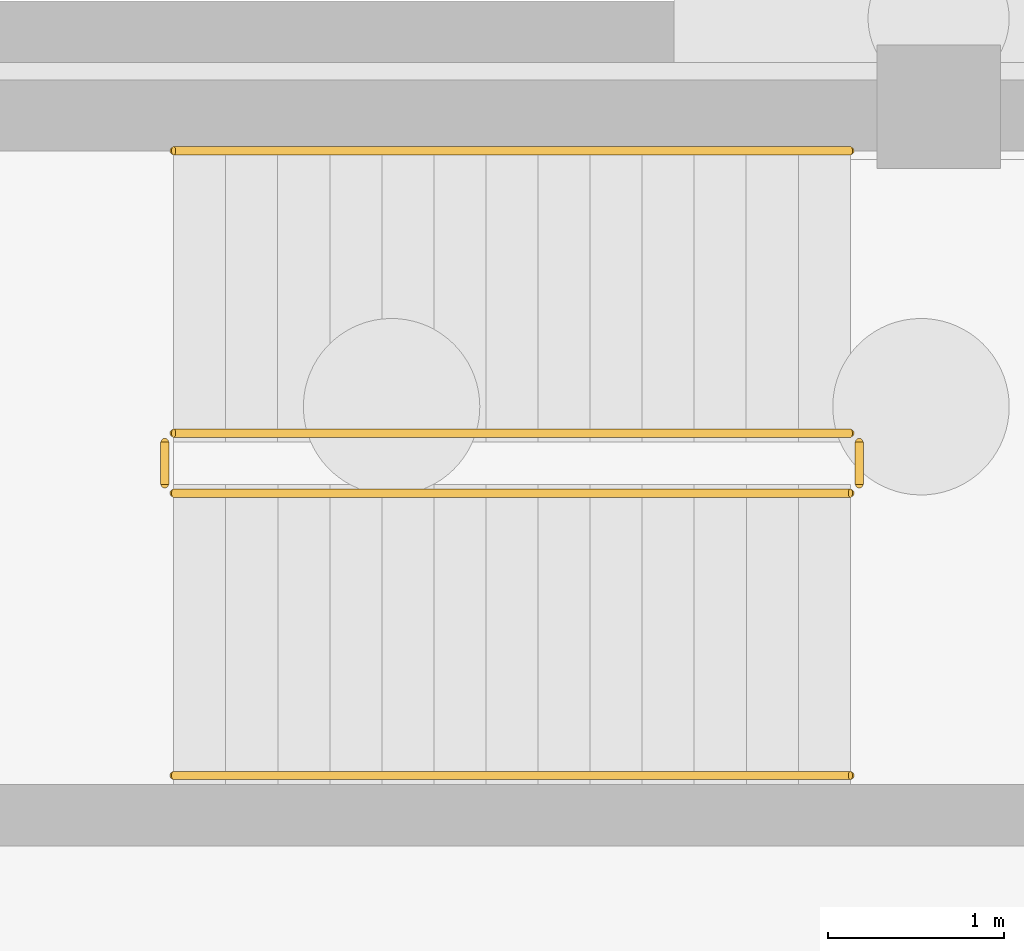
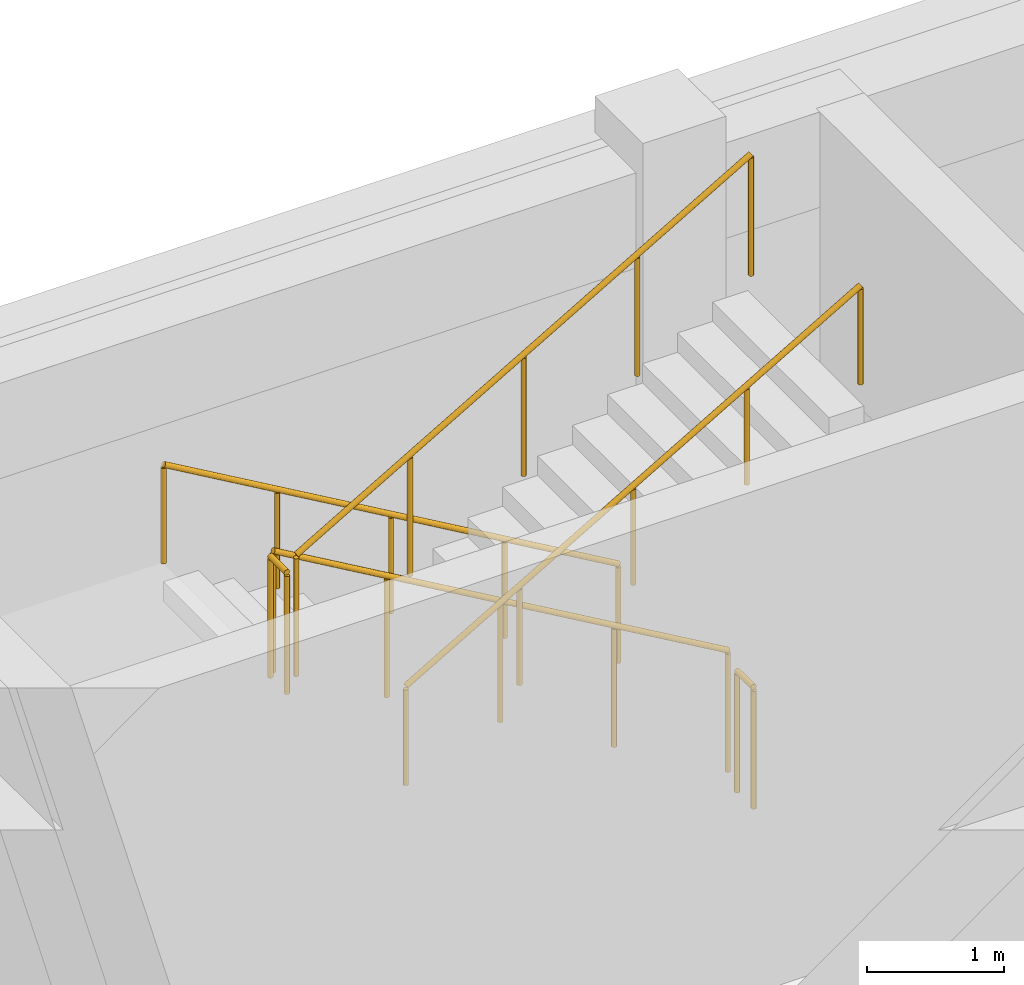
# One storey, part 34 of 35: 6 railings.
"""IFC4 building model written with IfcOpenShell, lengths in metres."""

from ifc_helpers import new_model, si_unit, direction, frame, origin, origin_2d, place, context, subcontext, project, spatial, circle, extrude, material, type_object, element, save


model = new_model("IFC4")

# Units and contexts
model_context = context("Model", 3, precision=1e-05, world=origin(), true_north=direction((0.0, 1.0)))
body_context = subcontext(model_context, "Body", "Model", "MODEL_VIEW")
ifc_project = project(units=[si_unit("LENGTHUNIT", "METRE"), si_unit("AREAUNIT", "SQUARE_METRE"), si_unit("VOLUMEUNIT", "CUBIC_METRE"), si_unit("PLANEANGLEUNIT", "RADIAN"), si_unit("MASSUNIT", "GRAM", prefix="KILO")], contexts=[model_context])

# Site, building, storey
site_placement = place(None, origin())
site = spatial("IfcSite", under=ifc_project, at=site_placement, CompositionType="ELEMENT")
building_placement = place(site_placement, origin())
building = spatial("IfcBuilding", under=site, at=building_placement, Name="Zayran Congress Hotel", CompositionType="ELEMENT")
storey_placement = place(building_placement, frame((0.0, 0.0, -4.800048828125)))
storey = spatial("IfcBuildingStorey", under=building, at=storey_placement, Name="B1", CompositionType="ELEMENT", Elevation=-4.800048828125)

# Railings
ifc_material_1 = material(Name="Painted steel balustrade", Category="steel")
railing_type_1 = type_object("IfcRailingType", Name="TP-GRD-INT", PredefinedType="GUARDRAIL", material=ifc_material_1)
railing_1_placement = place(storey_placement, frame((150.699951171875, 115.550048828125, 0.17138671875)))
element("IfcRailing", 1, at=railing_1_placement, inside=storey, type_object=railing_type_1, Name="B1 ST-09 stair guard 1", PredefinedType="GUARDRAIL", context=body_context, shape_type="SweptSolid", body=[
    extrude(circle(Radius=0.02392578125, at=origin_2d()), frame((0.0, 0.0, 1.076171875), z_axis=(-0.864592272851, 0.0, 0.502474080651), x_axis=(0.0, -1.0, 0.0)), (0.0, 0.0, 1.0), 4.435546875),
    extrude(circle(Radius=0.02099609375, at=origin_2d()), origin(), (0.0, 0.0, 1.0), 1.052001953125),
    extrude(circle(Radius=0.02099609375, at=origin_2d()), frame((-0.958740234375, 0.0, 0.55712890625)), (0.0, 0.0, 1.0), 1.052001953125),
    extrude(circle(Radius=0.02099609375, at=origin_2d()), frame((-1.91748046875, 0.0, 1.1142578125)), (0.0, 0.0, 1.0), 1.052001953125),
    extrude(circle(Radius=0.02099609375, at=origin_2d()), frame((-2.876220703125, 0.0, 1.671630859375)), (0.0, 0.0, 1.0), 1.052001953125),
    extrude(circle(Radius=0.02099609375, at=origin_2d()), frame((-3.8349609375, 0.0, 2.228759765625)), (0.0, 0.0, 1.0), 1.052001953125),
])
railing_2_placement = place(storey_placement, frame((146.81494140625, 115.5, 2.400146484375)))
element("IfcRailing", 2, at=railing_2_placement, inside=storey, type_object=railing_type_1, Name="B1 ST-09 stair guard 2", PredefinedType="GUARDRAIL", context=body_context, shape_type="SweptSolid", body=[
    extrude(circle(Radius=0.02392578125, at=origin_2d()), frame((0.0, 0.0, 1.076171875), z_axis=(0.0, -1.0, 0.0), x_axis=(1.0, 0.0, 0.0)), (0.0, 0.0, 1.0), 0.239990234375),
    extrude(circle(Radius=0.02099609375, at=origin_2d()), origin(), (0.0, 0.0, 1.0), 1.052001953125),
    extrude(circle(Radius=0.02099609375, at=origin_2d()), frame((0.0, -0.239990234375, 0.0)), (0.0, 0.0, 1.0), 1.052001953125),
])
railing_3_placement = place(storey_placement, frame((146.864990234375, 115.2099609375, 2.571533203125)))
element("IfcRailing", 3, at=railing_3_placement, inside=storey, type_object=railing_type_1, Name="B1 ST-09 stair guard 3", PredefinedType="GUARDRAIL", context=body_context, shape_type="SweptSolid", body=[
    extrude(circle(Radius=0.02392578125, at=origin_2d()), frame((0.0, 0.0, 1.076171875), z_axis=(0.86461618451, 0.0, 0.502432934314), x_axis=(0.0, 1.0, 0.0)), (0.0, 0.0, 1.0), 4.435546875),
    extrude(circle(Radius=0.02099609375, at=origin_2d()), origin(), (0.0, 0.0, 1.0), 1.052001953125),
    extrude(circle(Radius=0.02099609375, at=origin_2d()), frame((0.958740234375, 0.0, 0.55712890625)), (0.0, 0.0, 1.0), 1.052001953125),
    extrude(circle(Radius=0.02099609375, at=origin_2d()), frame((1.91748046875, 0.0, 1.1142578125)), (0.0, 0.0, 1.0), 1.052001953125),
    extrude(circle(Radius=0.02099609375, at=origin_2d()), frame((2.876220703125, 0.0, 1.67138671875)), (0.0, 0.0, 1.0), 1.052001953125),
    extrude(circle(Radius=0.02099609375, at=origin_2d()), frame((3.8349609375, 0.0, 2.228515625)), (0.0, 0.0, 1.0), 1.052001953125),
])
railing_4_placement = place(storey_placement, frame((150.75, 115.5, 0.0)))
element("IfcRailing", 4, at=railing_4_placement, inside=storey, type_object=railing_type_1, Name="B1 ST-09 stair guard 4", PredefinedType="GUARDRAIL", context=body_context, shape_type="SweptSolid", body=[
    extrude(circle(Radius=0.02392578125, at=origin_2d()), frame((0.0, 0.0, 1.076171875), z_axis=(0.0, -1.0, 0.0), x_axis=(1.0, 0.0, 0.0)), (0.0, 0.0, 1.0), 0.239990234375),
    extrude(circle(Radius=0.02099609375, at=origin_2d()), origin(), (0.0, 0.0, 1.0), 1.052001953125),
    extrude(circle(Radius=0.02099609375, at=origin_2d()), frame((0.0, -0.239990234375, 0.0)), (0.0, 0.0, 1.0), 1.052001953125),
])
ifc_material_2 = material(Name="Brushed stainless steel handrail", Category="steel")
railing_type_2 = type_object("IfcRailingType", Name="TP-HND-STR", PredefinedType="HANDRAIL", material=ifc_material_2)
railing_5_placement = place(storey_placement, frame((150.699951171875, 117.14990234375, 0.17138671875)))
element("IfcRailing", 5, at=railing_5_placement, inside=storey, type_object=railing_type_2, Name="B1 ST-09 stair handrail 1", PredefinedType="HANDRAIL", context=body_context, shape_type="SweptSolid", body=[
    extrude(circle(Radius=0.02392578125, at=origin_2d()), frame((0.0, 0.0, 0.8759765625), z_axis=(-0.864592272851, 0.0, 0.502474080651), x_axis=(0.0, -1.0, 0.0)), (0.0, 0.0, 1.0), 4.435546875),
    extrude(circle(Radius=0.02099609375, at=origin_2d()), origin(), (0.0, 0.0, 1.0), 0.851806640625),
    extrude(circle(Radius=0.02099609375, at=origin_2d()), frame((-0.958740234375, 0.0, 0.55712890625)), (0.0, 0.0, 1.0), 0.851806640625),
    extrude(circle(Radius=0.02099609375, at=origin_2d()), frame((-1.91748046875, 0.0, 1.1142578125)), (0.0, 0.0, 1.0), 0.851806640625),
    extrude(circle(Radius=0.02099609375, at=origin_2d()), frame((-2.876220703125, 0.0, 1.671630859375)), (0.0, 0.0, 1.0), 0.851806640625),
    extrude(circle(Radius=0.02099609375, at=origin_2d()), frame((-3.8349609375, 0.0, 2.228759765625)), (0.0, 0.0, 1.0), 0.851806640625),
])
railing_6_placement = place(storey_placement, frame((146.864990234375, 113.610107421875, 2.571533203125)))
element("IfcRailing", 6, at=railing_6_placement, inside=storey, type_object=railing_type_2, Name="B1 ST-09 stair handrail 2", PredefinedType="HANDRAIL", context=body_context, shape_type="SweptSolid", body=[
    extrude(circle(Radius=0.02392578125, at=origin_2d()), frame((0.0, 0.0, 0.8759765625), z_axis=(0.86461618451, 0.0, 0.502432934314), x_axis=(0.0, 1.0, 0.0)), (0.0, 0.0, 1.0), 4.435546875),
    extrude(circle(Radius=0.02099609375, at=origin_2d()), origin(), (0.0, 0.0, 1.0), 0.851806640625),
    extrude(circle(Radius=0.02099609375, at=origin_2d()), frame((0.958740234375, 0.0, 0.55712890625)), (0.0, 0.0, 1.0), 0.851806640625),
    extrude(circle(Radius=0.02099609375, at=origin_2d()), frame((1.91748046875, 0.0, 1.1142578125)), (0.0, 0.0, 1.0), 0.851806640625),
    extrude(circle(Radius=0.02099609375, at=origin_2d()), frame((2.876220703125, 0.0, 1.67138671875)), (0.0, 0.0, 1.0), 0.851806640625),
    extrude(circle(Radius=0.02099609375, at=origin_2d()), frame((3.8349609375, 0.0, 2.228515625)), (0.0, 0.0, 1.0), 0.851806640625),
])

save(model, "model.ifc")
